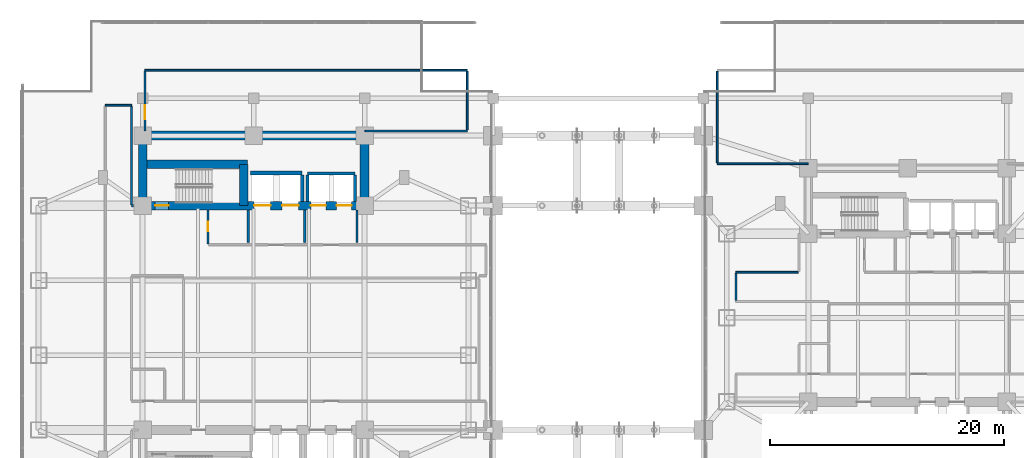
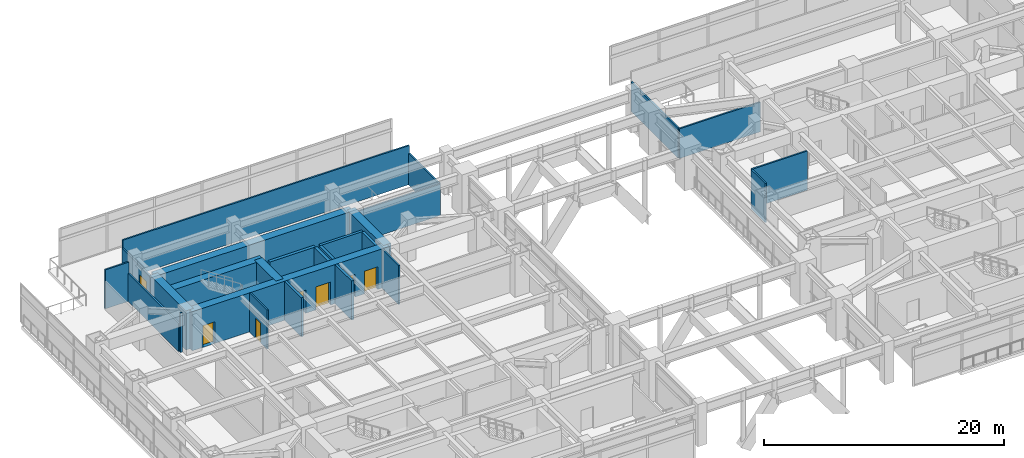
# One storey, part 16 of 30: 26 walls, 7 doors, 7 openings.
"""IFC4 building model written with IfcOpenShell, lengths in metres."""

from ifc_helpers import new_model, si_unit, direction, frame, frame_2d, origin, place, context, subcontext, project, spatial, rectangle, extrude, material, layer, layer_set, type_object, element, fill, save


model = new_model("IFC4")

# Units and contexts
model_context = context("Model", 3, precision=1e-05, world=origin(), true_north=direction((0.0, 1.0)))
body_context = subcontext(model_context, "Body", "Model", "MODEL_VIEW")
ifc_project = project(units=[si_unit("LENGTHUNIT", "METRE"), si_unit("AREAUNIT", "SQUARE_METRE"), si_unit("VOLUMEUNIT", "CUBIC_METRE"), si_unit("PLANEANGLEUNIT", "RADIAN"), si_unit("MASSUNIT", "GRAM", prefix="KILO")], contexts=[model_context])

# Site, building, storey
site_placement = place(None, origin())
site = spatial("IfcSite", under=ifc_project, at=site_placement, CompositionType="ELEMENT")
building_placement = place(site_placement, origin())
building = spatial("IfcBuilding", under=site, at=building_placement, Name="Mirazonda Arch Towers", CompositionType="ELEMENT")
storey_placement = place(building_placement, frame((0.0, 0.0, 9.5)))
storey = spatial("IfcBuildingStorey", under=building, at=storey_placement, Name="L02", CompositionType="ELEMENT", Elevation=9.5)

# Walls
ifc_material_1 = material(Name="Concrete C60/75", Category="concrete")
ifc_layer_1 = layer(ifc_material_1, 0.75, Name="WALL-CORE-750")
ifc_layer_set_1 = layer_set([ifc_layer_1], Name="Concrete C60/75")
wall_type_1 = type_object("IfcWallType", Name="WALL-CORE-750", PredefinedType="SHEAR", material=ifc_layer_set_1)
wall_1_placement = place(storey_placement, frame((11.0, 43.60009765625, 0.0), z_axis=(0.0, 0.0, 1.0), x_axis=(1.0, 0.0, 0.0)))
element("IfcWall", 1, at=wall_1_placement, inside=storey, type_object=wall_type_1, Name="L02 T1N-N Core Shear Wall", PredefinedType="SHEAR", context=body_context, shape_type="SweptSolid", body=[
    extrude(rectangle(XDim=19.0, YDim=0.75, at=frame_2d((9.5, 0.0))), origin(), (0.0, 0.0, 1.0), 3.97998046875),
])
for number, where, z_axis, x_axis, name in (
    (2, (11.0, 37.60009765625, 0.0), (0.0, 0.0, 1.0), (0.0, 1.0, 0.0), "L02 T1N-W Core Shear Wall"),
    (3, (30.0, 37.60009765625, 0.0), (0.0, 0.0, 1.0), (0.0, 1.0, 0.0), "L02 T1N-E Core Shear Wall"),
):
    element("IfcWall", number, at=place(storey_placement, frame(where, z_axis=z_axis, x_axis=x_axis)), inside=storey, type_object=wall_type_1, Name=name, PredefinedType="SHEAR", context=body_context, shape_type="SweptSolid", body=[
        extrude(rectangle(XDim=6.0, YDim=0.75, at=frame_2d((3.0, 0.0))), origin(), (0.0, 0.0, 1.0), 3.97998046875),
    ])

# Wall, openings, doors
wall_2_placement = place(storey_placement, frame((11.0, 37.60009765625, 0.0), z_axis=(0.0, 0.0, 1.0), x_axis=(1.0, 0.0, 0.0)))
wall_2 = element("IfcWall", 4, at=wall_2_placement, inside=storey, type_object=wall_type_1, Name="L02 T1N-S Core Shear Wall", PredefinedType="SHEAR", context=body_context, shape_type="SweptSolid", body=[
    extrude(rectangle(XDim=19.0, YDim=0.75, at=frame_2d((9.5, 0.0))), origin(), (0.0, 0.0, 1.0), 3.97998046875),
])
opening_1_placement = place(wall_2_placement, frame((1.070068359375, 0.0, 0.0)))
opening_1 = element("IfcOpeningElement", 5, at=opening_1_placement, cuts=wall_2, Name="Opening DR-135", PredefinedType="OPENING", context=body_context, shape_type="SweptSolid", body=[
    extrude(rectangle(XDim=1.14990234375, YDim=2.199951171875, at=frame_2d((0.574951171875, 1.10009765625))), frame((0.0, 0.385009765625, 0.0), z_axis=(0.0, -1.0, 0.0), x_axis=(1.0, 0.0, 0.0)), (0.0, 0.0, 1.0), 0.77001953125),
])
opening_2_placement = place(wall_2_placement, frame((9.550048828125, 0.0, 0.0)))
opening_2 = element("IfcOpeningElement", 6, at=opening_2_placement, cuts=wall_2, Name="Opening LD-112", PredefinedType="OPENING", context=body_context, shape_type="SweptSolid", body=[
    extrude(rectangle(XDim=1.39990234375, YDim=2.35009765625, at=frame_2d((0.699951171875, 1.175048828125))), frame((0.0, 0.385009765625, 0.0), z_axis=(0.0, -1.0, 0.0), x_axis=(1.0, 0.0, 0.0)), (0.0, 0.0, 1.0), 0.77001953125),
])
opening_3_placement = place(wall_2_placement, frame((11.949951171875, 0.0, 0.0)))
opening_3 = element("IfcOpeningElement", 7, at=opening_3_placement, cuts=wall_2, Name="Opening LD-112", PredefinedType="OPENING", context=body_context, shape_type="SweptSolid", body=[
    extrude(rectangle(XDim=1.39990234375, YDim=2.35009765625, at=frame_2d((0.699951171875, 1.175048828125))), frame((0.0, 0.385009765625, 0.0), z_axis=(0.0, -1.0, 0.0), x_axis=(1.0, 0.0, 0.0)), (0.0, 0.0, 1.0), 0.77001953125),
])
opening_4_placement = place(wall_2_placement, frame((14.39990234375, 0.0, 0.0)))
opening_4 = element("IfcOpeningElement", 8, at=opening_4_placement, cuts=wall_2, Name="Opening LD-111", PredefinedType="OPENING", context=body_context, shape_type="SweptSolid", body=[
    extrude(rectangle(XDim=1.300048828125, YDim=2.300048828125, at=frame_2d((0.64990234375, 1.14990234375))), frame((0.0, 0.385009765625, 0.0), z_axis=(0.0, -1.0, 0.0), x_axis=(1.0, 0.0, 0.0)), (0.0, 0.0, 1.0), 0.77001953125),
])
opening_5_placement = place(wall_2_placement, frame((16.60009765625, 0.0, 0.0)))
opening_5 = element("IfcOpeningElement", 9, at=opening_5_placement, cuts=wall_2, Name="Opening LD-111", PredefinedType="OPENING", context=body_context, shape_type="SweptSolid", body=[
    extrude(rectangle(XDim=1.300048828125, YDim=2.300048828125, at=frame_2d((0.64990234375, 1.14990234375))), frame((0.0, 0.385009765625, 0.0), z_axis=(0.0, -1.0, 0.0), x_axis=(1.0, 0.0, 0.0)), (0.0, 0.0, 1.0), 0.77001953125),
])
ifc_material_2 = material(Name="Architectural Brushed Steel S355", Category="steel")
door_type_1 = type_object("IfcDoorType", Name="DOOR-LIFT-FFL-1400", OperationType="NOTDEFINED", PredefinedType="DOOR", material=ifc_material_2)
door_1_placement = place(opening_2_placement, origin())
door_1 = element("IfcDoor", 10, at=door_1_placement, inside=storey, type_object=door_type_1, Name="L02 Lift Landing Sliding Door FFL-T1", OperationType="DOUBLE_DOOR_SLIDING", OverallHeight=2.35009765625, OverallWidth=1.39990234375, PredefinedType="DOOR", context=body_context, shape_type="SweptSolid", body=[
    extrude(rectangle(XDim=1.39990234375, YDim=2.35009765625, at=frame_2d((0.699951171875, 1.175048828125))), frame((0.0, 0.02490234375, 0.0), z_axis=(0.0, -1.0, 0.0), x_axis=(1.0, 0.0, 0.0)), (0.0, 0.0, 1.0), 0.050048828125),
])
fill(opening_2, door_1)
door_2_placement = place(opening_3_placement, origin())
door_2 = element("IfcDoor", 11, at=door_2_placement, inside=storey, type_object=door_type_1, Name="L02 Lift Landing Sliding Door SVL-T1", OperationType="DOUBLE_DOOR_SLIDING", OverallHeight=2.35009765625, OverallWidth=1.39990234375, PredefinedType="DOOR", context=body_context, shape_type="SweptSolid", body=[
    extrude(rectangle(XDim=1.39990234375, YDim=2.35009765625, at=frame_2d((0.699951171875, 1.175048828125))), frame((0.0, 0.02490234375, 0.0), z_axis=(0.0, -1.0, 0.0), x_axis=(1.0, 0.0, 0.0)), (0.0, 0.0, 1.0), 0.050048828125),
])
fill(opening_3, door_2)
door_type_2 = type_object("IfcDoorType", Name="DOOR-LIFT-LAND-1300", OperationType="NOTDEFINED", PredefinedType="DOOR", material=ifc_material_2)
door_3_placement = place(opening_4_placement, origin())
door_3 = element("IfcDoor", 12, at=door_3_placement, inside=storey, type_object=door_type_2, Name="L02 Lift Landing Sliding Door PL-T1L1", OperationType="DOUBLE_DOOR_SLIDING", OverallHeight=2.300048828125, OverallWidth=1.300048828125, PredefinedType="DOOR", context=body_context, shape_type="SweptSolid", body=[
    extrude(rectangle(XDim=1.300048828125, YDim=2.300048828125, at=frame_2d((0.64990234375, 1.14990234375))), frame((0.0, 0.02490234375, 0.0), z_axis=(0.0, -1.0, 0.0), x_axis=(1.0, 0.0, 0.0)), (0.0, 0.0, 1.0), 0.050048828125),
])
fill(opening_4, door_3)
door_4_placement = place(opening_5_placement, origin())
door_4 = element("IfcDoor", 13, at=door_4_placement, inside=storey, type_object=door_type_2, Name="L02 Lift Landing Sliding Door PL-T1L2", OperationType="DOUBLE_DOOR_SLIDING", OverallHeight=2.300048828125, OverallWidth=1.300048828125, PredefinedType="DOOR", context=body_context, shape_type="SweptSolid", body=[
    extrude(rectangle(XDim=1.300048828125, YDim=2.300048828125, at=frame_2d((0.64990234375, 1.14990234375))), frame((0.0, 0.02490234375, 0.0), z_axis=(0.0, -1.0, 0.0), x_axis=(1.0, 0.0, 0.0)), (0.0, 0.0, 1.0), 0.050048828125),
])
fill(opening_5, door_4)
door_type_3 = type_object("IfcDoorType", Name="DOOR-STAIR-FD90-1150", OperationType="NOTDEFINED", PredefinedType="DOOR", material=ifc_material_2)
door_5_placement = place(opening_1_placement, origin())
door_5 = element("IfcDoor", 14, at=door_5_placement, inside=storey, type_object=door_type_3, Name="L02 Protected Exit Stair North Door", OperationType="SINGLE_SWING_LEFT", OverallHeight=2.199951171875, OverallWidth=1.14990234375, PredefinedType="DOOR", context=body_context, shape_type="SweptSolid", body=[
    extrude(rectangle(XDim=1.14990234375, YDim=2.199951171875, at=frame_2d((0.574951171875, 1.10009765625))), frame((0.0, 0.02490234375, 0.0), z_axis=(0.0, -1.0, 0.0), x_axis=(1.0, 0.0, 0.0)), (0.0, 0.0, 1.0), 0.050048828125),
])
fill(opening_1, door_5)

# Walls
wall_3_placement = place(storey_placement, frame((11.0, 41.14306640625, 0.0), z_axis=(0.0, 0.0, 1.0), x_axis=(1.0, 0.0, 0.0)))
element("IfcWall", 15, at=wall_3_placement, inside=storey, type_object=wall_type_1, Name="L02 T1N-STN Core Shear Wall", PredefinedType="SHEAR", context=body_context, shape_type="SweptSolid", body=[
    extrude(rectangle(XDim=9.0, YDim=0.75, at=frame_2d((4.5, 0.0))), origin(), (0.0, 0.0, 1.0), 3.97998046875),
])
wall_4_placement = place(storey_placement, frame((19.64990234375, 37.60009765625, 0.0), z_axis=(0.0, 0.0, 1.0), x_axis=(0.0, 1.0, 0.0)))
element("IfcWall", 16, at=wall_4_placement, inside=storey, type_object=wall_type_1, Name="L02 T1N-STE Core Shear Wall", PredefinedType="SHEAR", context=body_context, shape_type="SweptSolid", body=[
    extrude(rectangle(XDim=3.54296875, YDim=0.75, at=frame_2d((1.771484375, 0.0))), origin(), (0.0, 0.0, 1.0), 3.97998046875),
])
ifc_material_3 = material(Name="Concrete C40/50", Category="concrete")
ifc_layer_2 = layer(ifc_material_3, 0.219970703125, Name="WALL-FFL-220")
ifc_layer_set_2 = layer_set([ifc_layer_2], Name="Concrete C40/50")
wall_type_2 = type_object("IfcWallType", Name="WALL-FFL-220", PredefinedType="SOLIDWALL", material=ifc_layer_set_2)
for number, where, z_axis, x_axis, name in (
    (17, (20.02490234375, 34.449951171875, 0.0), (0.0, 0.0, 1.0), (0.0, 1.0, 0.0), "L02 Interior Partition 061"),
    (18, (24.875, 34.449951171875, 0.0), (0.0, 0.0, 1.0), (0.0, 1.0, 0.0), "L02 Interior Partition 068"),
):
    element("IfcWall", number, at=place(storey_placement, frame(where, z_axis=z_axis, x_axis=x_axis)), inside=storey, type_object=wall_type_2, Name=name, PredefinedType="SOLIDWALL", context=body_context, shape_type="SweptSolid", body=[
        extrude(rectangle(XDim=2.780029296875, YDim=0.219970703125, at=frame_2d((1.39013671875, 0.0))), origin(), (0.0, 0.0, 1.0), 3.97998046875),
    ])
ifc_material_4 = material(Name="Fire-Rated Gypsum Stud Partition")
ifc_layer_3 = layer(ifc_material_4, 0.14990234375, Name="WALL-PART-CORR-150")
ifc_layer_set_3 = layer_set([ifc_layer_3], Name="Fire-Rated Gypsum Stud Partition")
wall_type_3 = type_object("IfcWallType", Name="WALL-PART-CORR-150", PredefinedType="PARTITIONING", material=ifc_layer_set_3)
wall_5_placement = place(storey_placement, frame((61.800048828125, 31.89990234375, 0.0), z_axis=(0.0, 0.0, 1.0), x_axis=(1.0, 0.0, 0.0)))
element("IfcWall", 19, at=wall_5_placement, inside=storey, type_object=wall_type_3, Name="L02 Interior Partition 033", PredefinedType="PARTITIONING", context=body_context, shape_type="SweptSolid", body=[
    extrude(rectangle(XDim=5.349853515625, YDim=0.14990234375, at=frame_2d((2.6748046875, 0.0))), origin(), (0.0, 0.0, 1.0), 3.97998046875),
])
wall_6_placement = place(storey_placement, frame((60.199951171875, 41.199951171875, 0.0), z_axis=(0.0, 0.0, 1.0), x_axis=(1.0, 0.0, 0.0)))
element("IfcWall", 20, at=wall_6_placement, inside=storey, type_object=wall_type_3, Name="L02 Interior Partition 042", PredefinedType="PARTITIONING", context=body_context, shape_type="SweptSolid", body=[
    extrude(rectangle(XDim=7.780029296875, YDim=0.14990234375, at=frame_2d((3.89013671875, 0.0))), origin(), (0.0, 0.0, 1.0), 3.02392578125),
])
wall_7_placement = place(storey_placement, frame((30.02001953125, 44.0, 0.0), z_axis=(0.0, 0.0, 1.0), x_axis=(1.0, 0.0, 0.0)))
element("IfcWall", 21, at=wall_7_placement, inside=storey, type_object=wall_type_3, Name="L02 Interior Partition 045", PredefinedType="PARTITIONING", context=body_context, shape_type="SweptSolid", body=[
    extrude(rectangle(XDim=8.780029296875, YDim=0.14990234375, at=frame_2d((4.39013671875, 0.0))), origin(), (0.0, 0.0, 1.0), 3.198974609375),
])
wall_8_placement = place(storey_placement, frame((7.800048828125, 46.199951171875, 0.0), z_axis=(0.0, 0.0, 1.0), x_axis=(1.0, 0.0, 0.0)))
element("IfcWall", 22, at=wall_8_placement, inside=storey, type_object=wall_type_3, Name="L02 Interior Partition 046", PredefinedType="PARTITIONING", context=body_context, shape_type="SweptSolid", body=[
    extrude(rectangle(XDim=2.25, YDim=0.14990234375, at=frame_2d((1.125, 0.0))), origin(), (0.0, 0.0, 1.0), 3.97998046875),
])
wall_9_placement = place(storey_placement, frame((11.199951171875, 49.199951171875, 0.0), z_axis=(0.0, 0.0, 1.0), x_axis=(1.0, 0.0, 0.0)))
element("IfcWall", 23, at=wall_9_placement, inside=storey, type_object=wall_type_3, Name="L02 Interior Partition 048", PredefinedType="PARTITIONING", context=body_context, shape_type="SweptSolid", body=[
    extrude(rectangle(XDim=27.60009765625, YDim=0.14990234375, at=frame_2d((13.800048828125, 0.0))), origin(), (0.0, 0.0, 1.0), 3.97998046875),
])
wall_10_placement = place(storey_placement, frame((10.050048828125, 37.702392578125, 0.0), z_axis=(0.0, 0.0, 1.0), x_axis=(0.0, 1.0, 0.0)))
element("IfcWall", 24, at=wall_10_placement, inside=storey, type_object=wall_type_3, Name="L02 Interior Partition 055", PredefinedType="PARTITIONING", context=body_context, shape_type="SweptSolid", body=[
    extrude(rectangle(XDim=8.41259765625, YDim=0.14990234375, at=frame_2d((4.206298828125, 0.0))), origin(), (0.0, 0.0, 1.0), 2.8720703125),
])

# Wall, opening, door
wall_11_placement = place(storey_placement, frame((11.199951171875, 44.0, 0.0), z_axis=(0.0, 0.0, 1.0), x_axis=(0.0, 1.0, 0.0)))
wall_11 = element("IfcWall", 25, at=wall_11_placement, inside=storey, type_object=wall_type_3, Name="L02 Interior Partition 056", PredefinedType="PARTITIONING", context=body_context, shape_type="SweptSolid", body=[
    extrude(rectangle(XDim=5.114990234375, YDim=0.14990234375, at=frame_2d((2.5576171875, 0.0))), origin(), (0.0, 0.0, 1.0), 3.198974609375),
])
opening_6_placement = place(wall_11_placement, frame((1.007568359375, 0.0, 0.0)))
opening_6 = element("IfcOpeningElement", 26, at=opening_6_placement, cuts=wall_11, Name="Opening DR-117", PredefinedType="OPENING", context=body_context, shape_type="SweptSolid", body=[
    extrude(rectangle(XDim=1.199951171875, YDim=2.25, at=frame_2d((0.60009765625, 1.125))), frame((0.0, 0.0849609375, 0.0), z_axis=(0.0, -1.0, 0.0), x_axis=(1.0, 0.0, 0.0)), (0.0, 0.0, 1.0), 0.169921875),
])
door_type_4 = type_object("IfcDoorType", Name="DOOR-FFL-FD90-1200", OperationType="NOTDEFINED", PredefinedType="DOOR", material=ifc_material_2)
door_6_placement = place(opening_6_placement, origin())
door_6 = element("IfcDoor", 27, at=door_6_placement, inside=storey, type_object=door_type_4, Name="L02 L02 North Gallery Salon Door", OperationType="SINGLE_SWING_LEFT", OverallHeight=2.25, OverallWidth=1.199951171875, PredefinedType="DOOR", context=body_context, shape_type="SweptSolid", body=[
    extrude(rectangle(XDim=1.199951171875, YDim=2.25, at=frame_2d((0.60009765625, 1.125))), frame((0.0, 0.02490234375, 0.0), z_axis=(0.0, -1.0, 0.0), x_axis=(1.0, 0.0, 0.0)), (0.0, 0.0, 1.0), 0.050048828125),
])
fill(opening_6, door_6)

wall_12_placement = place(storey_placement, frame((16.60009765625, 34.3349609375, 0.0), z_axis=(0.0, 0.0, 1.0), x_axis=(0.0, 1.0, 0.0)))
wall_12 = element("IfcWall", 28, at=wall_12_placement, inside=storey, type_object=wall_type_3, Name="L02 Interior Partition 059", PredefinedType="PARTITIONING", context=body_context, shape_type="SweptSolid", body=[
    extrude(rectangle(XDim=2.89501953125, YDim=0.14990234375, at=frame_2d((1.447509765625, 0.0))), origin(), (0.0, 0.0, 1.0), 3.97998046875),
])
opening_7_placement = place(wall_12_placement, frame((1.06005859375, 0.0, 0.0)))
opening_7 = element("IfcOpeningElement", 29, at=opening_7_placement, cuts=wall_12, Name="Opening DR-128", PredefinedType="OPENING", context=body_context, shape_type="SweptSolid", body=[
    extrude(rectangle(XDim=0.85009765625, YDim=2.010009765625, at=frame_2d((0.425048828125, 1.0048828125))), frame((0.0, 0.0849609375, 0.0), z_axis=(0.0, -1.0, 0.0), x_axis=(1.0, 0.0, 0.0)), (0.0, 0.0, 1.0), 0.169921875),
])
door_type_5 = type_object("IfcDoorType", Name="DOOR-RISER-FD60-850", OperationType="NOTDEFINED", PredefinedType="DOOR", material=ifc_material_2)
door_7_placement = place(opening_7_placement, origin())
door_7 = element("IfcDoor", 30, at=door_7_placement, inside=storey, type_object=door_type_5, Name="L02 Electrical & Housekeeping Service Room Door", OperationType="SINGLE_SWING_RIGHT", OverallHeight=2.010009765625, OverallWidth=0.85009765625, PredefinedType="DOOR", context=body_context, shape_type="SweptSolid", body=[
    extrude(rectangle(XDim=0.85009765625, YDim=2.010009765625, at=frame_2d((0.425048828125, 1.0048828125))), frame((0.0, 0.02490234375, 0.0), z_axis=(0.0, -1.0, 0.0), x_axis=(1.0, 0.0, 0.0)), (0.0, 0.0, 1.0), 0.050048828125),
])
fill(opening_7, door_7)

# Walls
wall_13_placement = place(storey_placement, frame((29.35009765625, 34.449951171875, 0.0), z_axis=(0.0, 0.0, 1.0), x_axis=(0.0, 1.0, 0.0)))
element("IfcWall", 31, at=wall_13_placement, inside=storey, type_object=wall_type_3, Name="L02 Interior Partition 072", PredefinedType="PARTITIONING", context=body_context, shape_type="SweptSolid", body=[
    extrude(rectangle(XDim=2.780029296875, YDim=0.14990234375, at=frame_2d((1.39013671875, 0.0))), origin(), (0.0, 0.0, 1.0), 3.97998046875),
])
wall_14_placement = place(storey_placement, frame((38.800048828125, 44.0849609375, 0.0), z_axis=(0.0, 0.0, 1.0), x_axis=(0.0, 1.0, 0.0)))
element("IfcWall", 32, at=wall_14_placement, inside=storey, type_object=wall_type_3, Name="L02 Interior Partition 077", PredefinedType="PARTITIONING", context=body_context, shape_type="SweptSolid", body=[
    extrude(rectangle(XDim=5.030029296875, YDim=0.14990234375, at=frame_2d((2.51513671875, 0.0))), origin(), (0.0, 0.0, 1.0), 3.198974609375),
])
wall_15_placement = place(storey_placement, frame((60.199951171875, 41.284912109375, 0.0), z_axis=(0.0, 0.0, 1.0), x_axis=(0.0, 1.0, 0.0)))
element("IfcWall", 33, at=wall_15_placement, inside=storey, type_object=wall_type_3, Name="L02 Interior Partition 081", PredefinedType="PARTITIONING", context=body_context, shape_type="SweptSolid", body=[
    extrude(rectangle(XDim=7.830078125, YDim=0.14990234375, at=frame_2d((3.9150390625, 0.0))), origin(), (0.0, 0.0, 1.0), 3.02392578125),
])
wall_16_placement = place(storey_placement, frame((61.800048828125, 29.485107421875, 0.0), z_axis=(0.0, 0.0, 1.0), x_axis=(0.0, 1.0, 0.0)))
element("IfcWall", 34, at=wall_16_placement, inside=storey, type_object=wall_type_3, Name="L02 Interior Partition 085", PredefinedType="PARTITIONING", context=body_context, shape_type="SweptSolid", body=[
    extrude(rectangle(XDim=2.329833984375, YDim=0.14990234375, at=frame_2d((1.1650390625, 0.0))), origin(), (0.0, 0.0, 1.0), 3.97998046875),
])
ifc_layer_4 = layer(ifc_material_3, 0.25, Name="WALL-SHAFT-250")
ifc_layer_set_4 = layer_set([ifc_layer_4], Name="Concrete C40/50")
wall_type_4 = type_object("IfcWallType", Name="WALL-SHAFT-250", PredefinedType="SOLIDWALL", material=ifc_layer_set_4)
wall_17_placement = place(storey_placement, frame((25.10009765625, 40.35009765625, 0.0), z_axis=(0.0, 0.0, 1.0), x_axis=(1.0, 0.0, 0.0)))
element("IfcWall", 35, at=wall_17_placement, inside=storey, type_object=wall_type_4, Name="L02 Interior Partition 040", PredefinedType="SOLIDWALL", context=body_context, shape_type="SweptSolid", body=[
    extrude(rectangle(XDim=4.099853515625, YDim=0.25, at=frame_2d((2.0498046875, 0.0))), origin(), (0.0, 0.0, 1.0), 3.97998046875),
])
for number, where, z_axis, x_axis, name in (
    (36, (25.10009765625, 37.969970703125, 0.0), (0.0, 0.0, 1.0), (0.0, 1.0, 0.0), "L02 Interior Partition 069"),
    (37, (29.199951171875, 37.969970703125, 0.0), (0.0, 0.0, 1.0), (0.0, 1.0, 0.0), "L02 Interior Partition 073"),
):
    element("IfcWall", number, at=place(storey_placement, frame(where, z_axis=z_axis, x_axis=x_axis)), inside=storey, type_object=wall_type_4, Name=name, PredefinedType="SOLIDWALL", context=body_context, shape_type="SweptSolid", body=[
        extrude(rectangle(XDim=2.2451171875, YDim=0.25, at=frame_2d((1.12255859375, 0.0))), origin(), (0.0, 0.0, 1.0), 3.97998046875),
    ])
ifc_material_5 = material(Name="Concrete C50/60", Category="concrete")
ifc_layer_5 = layer(ifc_material_5, 0.300048828125, Name="WALL-SHAFT-300")
ifc_layer_set_5 = layer_set([ifc_layer_5], Name="Concrete C50/60")
wall_type_5 = type_object("IfcWallType", Name="WALL-SHAFT-300", PredefinedType="SOLIDWALL", material=ifc_layer_set_5)
wall_18_placement = place(storey_placement, frame((20.25, 40.39990234375, 0.0), z_axis=(0.0, 0.0, 1.0), x_axis=(1.0, 0.0, 0.0)))
element("IfcWall", 38, at=wall_18_placement, inside=storey, type_object=wall_type_5, Name="L02 Interior Partition 041", PredefinedType="SOLIDWALL", context=body_context, shape_type="SweptSolid", body=[
    extrude(rectangle(XDim=4.39990234375, YDim=0.300048828125, at=frame_2d((2.199951171875, 0.0))), origin(), (0.0, 0.0, 1.0), 3.97998046875),
])
wall_19_placement = place(storey_placement, frame((24.64990234375, 37.969970703125, 0.0), z_axis=(0.0, 0.0, 1.0), x_axis=(0.0, 1.0, 0.0)))
element("IfcWall", 39, at=wall_19_placement, inside=storey, type_object=wall_type_5, Name="L02 Interior Partition 066", PredefinedType="SOLIDWALL", context=body_context, shape_type="SweptSolid", body=[
    extrude(rectangle(XDim=2.27001953125, YDim=0.300048828125, at=frame_2d((1.135009765625, 0.0))), origin(), (0.0, 0.0, 1.0), 3.97998046875),
])
ifc_layer_6 = layer(ifc_material_5, 0.18505859375, Name="WALL-STAIR-CORE-185")
ifc_layer_set_6 = layer_set([ifc_layer_6], Name="Concrete C50/60")
wall_type_6 = type_object("IfcWallType", Name="WALL-STAIR-CORE-185", PredefinedType="SHEAR", material=ifc_layer_set_6)
wall_20_placement = place(storey_placement, frame((10.050048828125, 37.60009765625, 0.0), z_axis=(0.0, 0.0, 1.0), x_axis=(1.0, 0.0, 0.0)))
element("IfcWall", 40, at=wall_20_placement, inside=storey, type_object=wall_type_6, Name="L02 Stair Core Shear Wall 036", PredefinedType="SHEAR", context=body_context, shape_type="SweptSolid", body=[
    extrude(rectangle(XDim=0.18505859375, YDim=0.18505859375, at=frame_2d((0.092529296875, 0.0))), origin(), (0.0, 0.0, 1.0), 3.97998046875),
])

save(model, "model.ifc")
